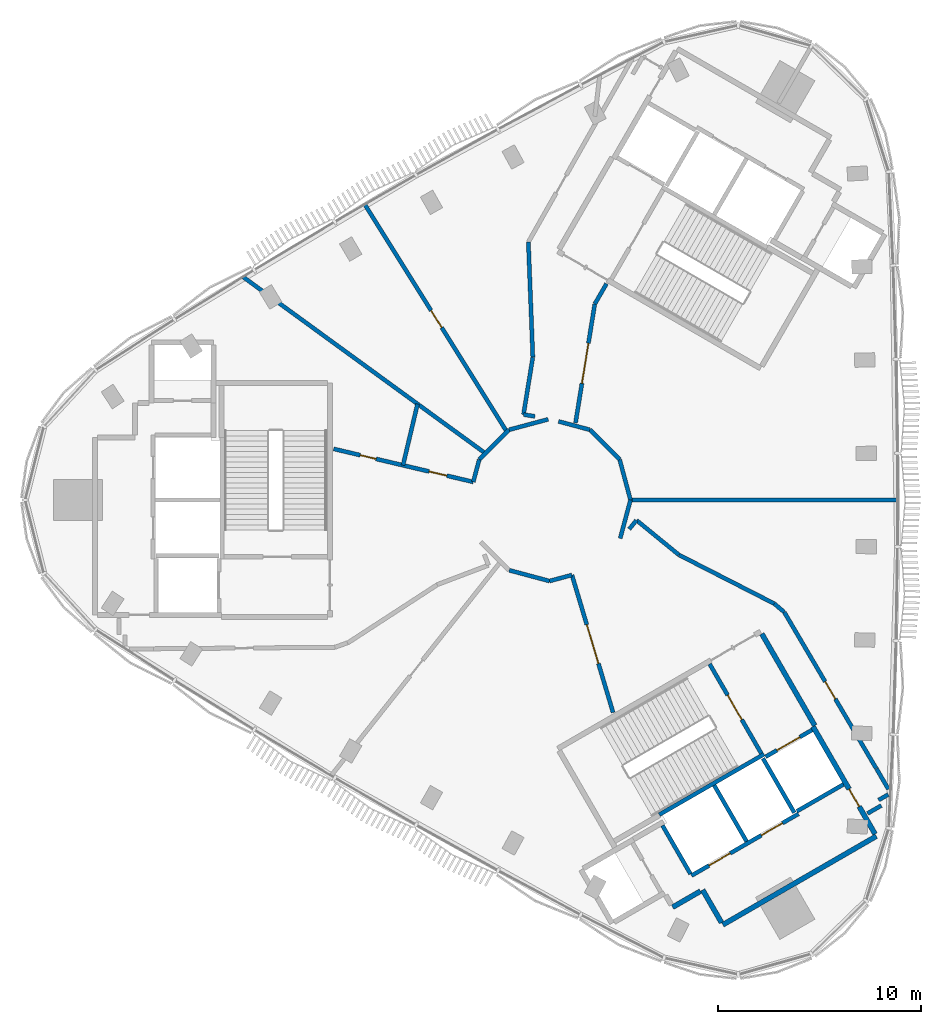
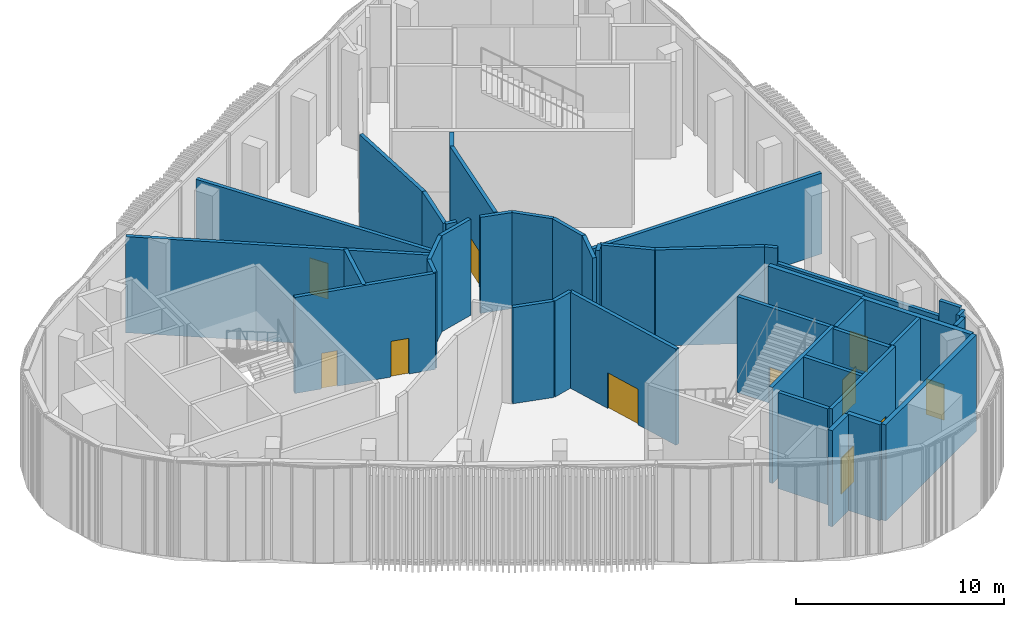
# One storey, part 4 of 11: 41 walls, 11 doors, 11 openings.
"""IFC4 building model written with IfcOpenShell, lengths in metres."""

from ifc_helpers import new_model, si_unit, direction, frame, frame_2d, origin, place, context, subcontext, project, spatial, rectangle, extrude, material, layer, layer_set, type_object, element, fill, save


model = new_model("IFC4")

# Units and contexts
model_context = context("Model", 3, precision=1e-05, world=origin(), true_north=direction((0.0, 1.0)))
body_context = subcontext(model_context, "Body", "Model", "MODEL_VIEW")
ifc_project = project(units=[si_unit("LENGTHUNIT", "METRE"), si_unit("AREAUNIT", "SQUARE_METRE"), si_unit("VOLUMEUNIT", "CUBIC_METRE"), si_unit("PLANEANGLEUNIT", "RADIAN"), si_unit("MASSUNIT", "GRAM", prefix="KILO")], contexts=[model_context])

# Site, building, storey
site_placement = place(None, origin())
site = spatial("IfcSite", under=ifc_project, at=site_placement, CompositionType="ELEMENT")
building_placement = place(site_placement, origin())
building = spatial("IfcBuilding", under=site, at=building_placement, Name="Tamra Quay Hotel Tower", CompositionType="ELEMENT")
storey_placement = place(building_placement, frame((0.0, 0.0, 306.60009765625)))
storey = spatial("IfcBuildingStorey", under=building, at=storey_placement, Name="L77", CompositionType="ELEMENT", Elevation=306.60009765625)

# Wall
ifc_material_1 = material(Name="Concrete M70", Category="concrete")
ifc_layer_1 = layer(ifc_material_1, 0.199951171875)
ifc_layer_set_1 = layer_set([ifc_layer_1], Name="Concrete M70 core wall 200")
wall_type_1 = type_object("IfcWallType", Name="Concrete M70 core wall 200", PredefinedType="SHEAR", material=ifc_layer_set_1)
wall_1_placement = place(storey_placement, frame((5.4189453125, -15.533935546875, 0.0), z_axis=(0.0, 0.0, 1.0), x_axis=(0.866029065029, 0.499993658486, 0.0)))
element("IfcWall", 1, at=wall_1_placement, inside=storey, type_object=wall_type_1, Name="CW2", PredefinedType="SHEAR", context=body_context, shape_type="SweptSolid", body=[
    extrude(rectangle(XDim=5.97412109375, YDim=0.199951171875, at=frame_2d((2.987060546875, 0.0))), origin(), (0.0, 0.0, 1.0), 5.64990234375),
])

# Wall, openings, doors
wall_2_placement = place(storey_placement, frame((7.009765625, -18.54150390625, 0.0), z_axis=(0.0, 0.0, 1.0), x_axis=(0.866030299012, 0.499991521122, 0.0)))
wall_2 = element("IfcWall", 2, at=wall_2_placement, inside=storey, type_object=wall_type_1, Name="CW2", PredefinedType="SHEAR", context=body_context, shape_type="SweptSolid", body=[
    extrude(rectangle(XDim=6.10009765625, YDim=0.199951171875, at=frame_2d((3.050048828125, 0.0))), origin(), (0.0, 0.0, 1.0), 5.64990234375),
])
opening_1_placement = place(wall_2_placement, frame((1.0, 0.0, 0.0)))
opening_1 = element("IfcOpeningElement", 3, at=opening_1_placement, cuts=wall_2, Name="Opening LD", PredefinedType="OPENING", context=body_context, shape_type="SweptSolid", body=[
    extrude(rectangle(XDim=1.199951171875, YDim=2.10009765625, at=frame_2d((0.60009765625, 1.050048828125))), frame((0.0, 0.10986328125, 0.0), z_axis=(0.0, -1.0, 0.0), x_axis=(1.0, 0.0, 0.0)), (0.0, 0.0, 1.0), 0.219970703125),
])
opening_2_placement = place(wall_2_placement, frame((3.982177734375, 0.0, 0.0)))
opening_2 = element("IfcOpeningElement", 4, at=opening_2_placement, cuts=wall_2, Name="Opening LD", PredefinedType="OPENING", context=body_context, shape_type="SweptSolid", body=[
    extrude(rectangle(XDim=1.199951171875, YDim=2.10009765625, at=frame_2d((0.60009765625, 1.050048828125))), frame((0.0, 0.10986328125, 0.0), z_axis=(0.0, -1.0, 0.0), x_axis=(1.0, 0.0, 0.0)), (0.0, 0.0, 1.0), 0.219970703125),
])
ifc_material_2 = material(Name="Landing door LD 1200 double door sliding")
door_type_1 = type_object("IfcDoorType", Name="Landing door LD 1200 double door sliding", OperationType="DOUBLE_DOOR_SLIDING", PredefinedType="DOOR", material=ifc_material_2)
door_1_placement = place(opening_1_placement, origin())
door_1 = element("IfcDoor", 5, at=door_1_placement, inside=storey, type_object=door_type_1, Name="LD", OperationType="DOUBLE_DOOR_SLIDING", OverallHeight=2.10009765625, OverallWidth=1.199951171875, PredefinedType="DOOR", context=body_context, shape_type="SweptSolid", body=[
    extrude(rectangle(XDim=1.199951171875, YDim=2.10009765625, at=frame_2d((0.60009765625, 1.050048828125))), frame((0.0, 0.02490234375, 0.0), z_axis=(0.0, -1.0, 0.0), x_axis=(1.0, 0.0, 0.0)), (0.0, 0.0, 1.0), 0.050048828125),
])
fill(opening_1, door_1)
door_2_placement = place(opening_2_placement, origin())
door_2 = element("IfcDoor", 6, at=door_2_placement, inside=storey, type_object=door_type_1, Name="LD", OperationType="DOUBLE_DOOR_SLIDING", OverallHeight=2.10009765625, OverallWidth=1.199951171875, PredefinedType="DOOR", context=body_context, shape_type="SweptSolid", body=[
    extrude(rectangle(XDim=1.199951171875, YDim=2.10009765625, at=frame_2d((0.60009765625, 1.050048828125))), frame((0.0, 0.02490234375, 0.0), z_axis=(0.0, -1.0, 0.0), x_axis=(1.0, 0.0, 0.0)), (0.0, 0.0, 1.0), 0.050048828125),
])
fill(opening_2, door_2)

# Wall, opening, door
wall_3_placement = place(storey_placement, frame((7.906494140625, -8.094482421875, 0.0), z_axis=(0.0, 0.0, 1.0), x_axis=(0.500027839223, -0.866009330205, 0.0)))
wall_3 = element("IfcWall", 7, at=wall_3_placement, inside=storey, type_object=wall_type_1, Name="CW2", PredefinedType="SHEAR", context=body_context, shape_type="SweptSolid", body=[
    extrude(rectangle(XDim=5.097900390625, YDim=0.199951171875, at=frame_2d((2.548828125, 0.0))), origin(), (0.0, 0.0, 1.0), 5.64990234375),
])
opening_3_placement = place(wall_3_placement, frame((1.77392578125, 0.0, 0.0)))
opening_3 = element("IfcOpeningElement", 8, at=opening_3_placement, cuts=wall_3, Name="Opening FD2", PredefinedType="OPENING", context=body_context, shape_type="SweptSolid", body=[
    extrude(rectangle(XDim=1.39990234375, YDim=2.10009765625, at=frame_2d((0.699951171875, 1.050048828125))), frame((0.0, 0.10986328125, 0.0), z_axis=(0.0, -1.0, 0.0), x_axis=(1.0, 0.0, 0.0)), (0.0, 0.0, 1.0), 0.219970703125),
])
ifc_material_3 = material(Name="Core door FD2 1400x2100 RH")
door_type_2 = type_object("IfcDoorType", Name="Core door FD2 1400x2100 RH", OperationType="NOTDEFINED", PredefinedType="DOOR", material=ifc_material_3)
door_3_placement = place(opening_3_placement, origin())
door_3 = element("IfcDoor", 9, at=door_3_placement, inside=storey, type_object=door_type_2, Name="FD2", OperationType="SINGLE_SWING_RIGHT", OverallHeight=2.10009765625, OverallWidth=1.39990234375, PredefinedType="DOOR", context=body_context, shape_type="SweptSolid", body=[
    extrude(rectangle(XDim=1.39990234375, YDim=2.10009765625, at=frame_2d((0.699951171875, 1.050048828125))), frame((0.0, 0.02490234375, 0.0), z_axis=(0.0, -1.0, 0.0), x_axis=(1.0, 0.0, 0.0)), (0.0, 0.0, 1.0), 0.050048828125),
])
fill(opening_3, door_3)

# Walls
wall_4_placement = place(storey_placement, frame((8.131591796875, -14.084228515625, 0.0), z_axis=(0.0, 0.0, 1.0), x_axis=(0.499997778408, -0.866026686418, 0.0)))
element("IfcWall", 10, at=wall_4_placement, inside=storey, type_object=wall_type_1, Name="CW2", PredefinedType="SHEAR", context=body_context, shape_type="SweptSolid", body=[
    extrude(rectangle(XDim=3.1982421875, YDim=0.199951171875, at=frame_2d((1.59912109375, 0.0))), origin(), (0.0, 0.0, 1.0), 5.64990234375),
])
wall_5_placement = place(storey_placement, frame((6.959716796875, -18.455078125, 0.0), z_axis=(0.0, 0.0, 1.0), x_axis=(-0.499926705758, 0.866067716099, 0.0)))
element("IfcWall", 11, at=wall_5_placement, inside=storey, type_object=wall_type_1, Name="CW2", PredefinedType="SHEAR", context=body_context, shape_type="SweptSolid", body=[
    extrude(rectangle(XDim=2.75927734375, YDim=0.199951171875, at=frame_2d((1.379638671875, 0.0))), origin(), (0.0, 0.0, 1.0), 5.64990234375),
])
wall_6_placement = place(storey_placement, frame((12.087646484375, -15.4365234375, 0.0), z_axis=(0.0, 0.0, 1.0), x_axis=(-0.500026960575, 0.86600983753, 0.0)))
element("IfcWall", 12, at=wall_6_placement, inside=storey, type_object=wall_type_1, Name="CW2", PredefinedType="SHEAR", context=body_context, shape_type="SweptSolid", body=[
    extrude(rectangle(XDim=3.099853515625, YDim=0.199951171875, at=frame_2d((1.5498046875, 0.0))), origin(), (0.0, 0.0, 1.0), 5.64990234375),
])

# Wall, opening, door
wall_7_placement = place(storey_placement, frame((10.666015625, -12.677734375, 0.0), z_axis=(0.0, 0.0, 1.0), x_axis=(0.866018407898, 0.500012117035, 0.0)))
wall_7 = element("IfcWall", 13, at=wall_7_placement, inside=storey, type_object=wall_type_1, Name="CW2", PredefinedType="SHEAR", context=body_context, shape_type="SweptSolid", body=[
    extrude(rectangle(XDim=2.65087890625, YDim=0.199951171875, at=frame_2d((1.325439453125, 0.0))), origin(), (0.0, 0.0, 1.0), 5.64990234375),
])
opening_4_placement = place(wall_7_placement, frame((0.65185546875, 0.0, 0.0)))
opening_4 = element("IfcOpeningElement", 14, at=opening_4_placement, cuts=wall_7, Name="Opening LD", PredefinedType="OPENING", context=body_context, shape_type="SweptSolid", body=[
    extrude(rectangle(XDim=1.300048828125, YDim=2.10009765625, at=frame_2d((0.64990234375, 1.050048828125))), frame((0.0, 0.10986328125, 0.0), z_axis=(0.0, -1.0, 0.0), x_axis=(1.0, 0.0, 0.0)), (0.0, 0.0, 1.0), 0.219970703125),
])
ifc_material_4 = material(Name="Landing door LD 1300 sliding to right")
door_type_3 = type_object("IfcDoorType", Name="Landing door LD 1300 sliding to right", OperationType="NOTDEFINED", PredefinedType="DOOR", material=ifc_material_4)
door_4_placement = place(opening_4_placement, origin())
door_4 = element("IfcDoor", 15, at=door_4_placement, inside=storey, type_object=door_type_3, Name="LD", OperationType="SLIDING_TO_RIGHT", OverallHeight=2.10009765625, OverallWidth=1.300048828125, PredefinedType="DOOR", context=body_context, shape_type="SweptSolid", body=[
    extrude(rectangle(XDim=1.300048828125, YDim=2.10009765625, at=frame_2d((0.64990234375, 1.050048828125))), frame((0.0, 0.02490234375, 0.0), z_axis=(0.0, -1.0, 0.0), x_axis=(1.0, 0.0, 0.0)), (0.0, 0.0, 1.0), 0.050048828125),
])
fill(opening_4, door_4)

# Walls
wall_8_placement = place(storey_placement, frame((14.51171875, -14.037109375, 0.0), z_axis=(0.0, 0.0, 1.0), x_axis=(-0.866018407898, -0.500012117035, 0.0)))
element("IfcWall", 16, at=wall_8_placement, inside=storey, type_object=wall_type_1, Name="CW2", PredefinedType="SHEAR", context=body_context, shape_type="SweptSolid", body=[
    extrude(rectangle(XDim=2.65087890625, YDim=0.199951171875, at=frame_2d((1.325439453125, 0.0))), origin(), (0.0, 0.0, 1.0), 5.64990234375),
])
ifc_layer_2 = layer(ifc_material_1, 0.25)
ifc_layer_set_2 = layer_set([ifc_layer_2], Name="Concrete M70 core wall 250")
wall_type_2 = type_object("IfcWallType", Name="Concrete M70 core wall 250", PredefinedType="SHEAR", material=ifc_layer_set_2)
wall_9_placement = place(storey_placement, frame((16.13330078125, -16.59375, 0.0), z_axis=(0.0, 0.0, 1.0), x_axis=(-0.866022959057, -0.500004234368, 0.0)))
element("IfcWall", 17, at=wall_9_placement, inside=storey, type_object=wall_type_2, Name="CW1", PredefinedType="SHEAR", context=body_context, shape_type="SweptSolid", body=[
    extrude(rectangle(XDim=8.75, YDim=0.25, at=frame_2d((4.375, 0.0))), origin(), (0.0, 0.0, 1.0), 5.64990234375),
])

# Wall, opening, door
wall_10_placement = place(storey_placement, frame((13.00830078125, -11.18115234375, 0.0), z_axis=(0.0, 0.0, 1.0), x_axis=(0.500001955336, -0.866024274868, 0.0)))
wall_10 = element("IfcWall", 18, at=wall_10_placement, inside=storey, type_object=wall_type_2, Name="CW1", PredefinedType="SHEAR", context=body_context, shape_type="SweptSolid", body=[
    extrude(rectangle(XDim=6.12451171875, YDim=0.25, at=frame_2d((3.062255859375, 0.0))), origin(), (0.0, 0.0, 1.0), 5.64990234375),
])
opening_5_placement = place(wall_10_placement, frame((3.562744140625, 0.0, 0.0)))
opening_5 = element("IfcOpeningElement", 19, at=opening_5_placement, cuts=wall_10, Name="Opening FD3", PredefinedType="OPENING", context=body_context, shape_type="SweptSolid", body=[
    extrude(rectangle(XDim=1.0, YDim=2.10009765625, at=frame_2d((0.5, 1.050048828125))), frame((0.0, 0.135009765625, 0.0), z_axis=(0.0, -1.0, 0.0), x_axis=(1.0, 0.0, 0.0)), (0.0, 0.0, 1.0), 0.27001953125),
])
ifc_material_5 = material(Name="Core door FD3 1000x2100 LH")
door_type_4 = type_object("IfcDoorType", Name="Core door FD3 1000x2100 LH", OperationType="NOTDEFINED", PredefinedType="DOOR", material=ifc_material_5)
door_5_placement = place(opening_5_placement, origin())
door_5 = element("IfcDoor", 20, at=door_5_placement, inside=storey, type_object=door_type_4, Name="FD3", OperationType="SINGLE_SWING_LEFT", OverallHeight=2.10009765625, OverallWidth=1.0, PredefinedType="DOOR", context=body_context, shape_type="SweptSolid", body=[
    extrude(rectangle(XDim=1.0, YDim=2.10009765625, at=frame_2d((0.5, 1.050048828125))), frame((0.0, 0.02490234375, 0.0), z_axis=(0.0, -1.0, 0.0), x_axis=(1.0, 0.0, 0.0)), (0.0, 0.0, 1.0), 0.050048828125),
])
fill(opening_5, door_5)

# Walls
wall_11_placement = place(storey_placement, frame((10.482666015625, -6.6064453125, 0.0), z_axis=(0.0, 0.0, 1.0), x_axis=(0.49999885962, -0.866026062182, 0.0)))
element("IfcWall", 21, at=wall_11_placement, inside=storey, type_object=wall_type_2, Name="CW1", PredefinedType="SHEAR", context=body_context, shape_type="SweptSolid", body=[
    extrude(rectangle(XDim=5.224609375, YDim=0.25, at=frame_2d((2.6123046875, 0.0))), origin(), (0.0, 0.0, 1.0), 5.64990234375),
])
wall_12_placement = place(storey_placement, frame((8.492919921875, -20.860107421875, 0.0), z_axis=(0.0, 0.0, 1.0), x_axis=(-0.500039802285, 0.866002422705, 0.0)))
element("IfcWall", 22, at=wall_12_placement, inside=storey, type_object=wall_type_2, Name="CW1", PredefinedType="SHEAR", context=body_context, shape_type="SweptSolid", body=[
    extrude(rectangle(XDim=1.864501953125, YDim=0.25, at=frame_2d((0.93212890625, 0.0))), origin(), (0.0, 0.0, 1.0), 5.64990234375),
])
wall_13_placement = place(storey_placement, frame((7.451904296875, -19.30810546875, 0.0), z_axis=(0.0, 0.0, 1.0), x_axis=(-0.866044474677, -0.49996696679, 0.0)))
element("IfcWall", 23, at=wall_13_placement, inside=storey, type_object=wall_type_2, Name="CW1", PredefinedType="SHEAR", context=body_context, shape_type="SweptSolid", body=[
    extrude(rectangle(XDim=1.58447265625, YDim=0.25, at=frame_2d((0.792236328125, 0.0))), origin(), (0.0, 0.0, 1.0), 5.64990234375),
])
ifc_material_6 = material(Name="Partition party wall")
ifc_layer_3 = layer(ifc_material_6, 0.199951171875)
ifc_layer_set_3 = layer_set([ifc_layer_3], Name="Partition party wall")
wall_type_3 = type_object("IfcWallType", Name="Partition party wall", PredefinedType="PARTITIONING", material=ifc_layer_set_3)
wall_14_placement = place(storey_placement, frame((-15.114013671875, 11.00439453125, 0.0), z_axis=(0.0, 0.0, 1.0), x_axis=(0.808410288659, -0.58861940606, 0.0)))
element("IfcWall", 24, at=wall_14_placement, inside=storey, type_object=wall_type_3, Name="W-P", PredefinedType="PARTITIONING", context=body_context, shape_type="SweptSolid", body=[
    extrude(rectangle(XDim=14.7822265625, YDim=0.199951171875, at=frame_2d((7.39111328125, 0.0))), origin(), (0.0, 0.0, 1.0), 5.64990234375),
])

# Wall, openings, doors
wall_15_placement = place(storey_placement, frame((-10.65234375, 2.523681640625, 0.0), z_axis=(0.0, 0.0, 1.0), x_axis=(0.97307682679, -0.230480995236, 0.0)))
wall_15 = element("IfcWall", 25, at=wall_15_placement, inside=storey, type_object=wall_type_3, Name="W-P", PredefinedType="PARTITIONING", context=body_context, shape_type="SweptSolid", body=[
    extrude(rectangle(XDim=7.078125, YDim=0.199951171875, at=frame_2d((3.5390625, 0.0))), origin(), (0.0, 0.0, 1.0), 5.64990234375),
])
opening_6_placement = place(wall_15_placement, frame((1.349365234375, 0.0, 0.0)))
opening_6 = element("IfcOpeningElement", 26, at=opening_6_placement, cuts=wall_15, Name="Opening L77-D004", PredefinedType="OPENING", context=body_context, shape_type="SweptSolid", body=[
    extrude(rectangle(XDim=0.800048828125, YDim=2.10009765625, at=frame_2d((0.39990234375, 1.050048828125))), frame((0.0, 0.10986328125, 0.0), z_axis=(0.0, -1.0, 0.0), x_axis=(1.0, 0.0, 0.0)), (0.0, 0.0, 1.0), 0.219970703125),
])
opening_7_placement = place(wall_15_placement, frame((4.841796875, 0.0, 0.0)))
opening_7 = element("IfcOpeningElement", 27, at=opening_7_placement, cuts=wall_15, Name="Opening L77-D009", PredefinedType="OPENING", context=body_context, shape_type="SweptSolid", body=[
    extrude(rectangle(XDim=0.89990234375, YDim=2.10009765625, at=frame_2d((0.449951171875, 1.050048828125))), frame((0.0, 0.10986328125, 0.0), z_axis=(0.0, -1.0, 0.0), x_axis=(1.0, 0.0, 0.0)), (0.0, 0.0, 1.0), 0.219970703125),
])
ifc_material_7 = material(Name="Door service room 800x2100")
door_type_5 = type_object("IfcDoorType", Name="Door service room 800x2100", OperationType="NOTDEFINED", PredefinedType="DOOR", material=ifc_material_7)
door_6_placement = place(opening_6_placement, frame((0.800048828125, 0.0, 0.0), z_axis=(0.0, 0.0, 1.0), x_axis=(-1.0, 0.0, 0.0)))
door_6 = element("IfcDoor", 28, at=door_6_placement, inside=storey, type_object=door_type_5, Name="L77-D004", OperationType="SINGLE_SWING_LEFT", OverallHeight=2.10009765625, OverallWidth=0.800048828125, PredefinedType="DOOR", context=body_context, shape_type="SweptSolid", body=[
    extrude(rectangle(XDim=0.800048828125, YDim=2.10009765625, at=frame_2d((0.39990234375, 1.050048828125))), frame((0.0, 0.02490234375, 0.0), z_axis=(0.0, -1.0, 0.0), x_axis=(1.0, 0.0, 0.0)), (0.0, 0.0, 1.0), 0.050048828125),
])
fill(opening_6, door_6)
ifc_material_8 = material(Name="Door service room 900x2100")
door_type_6 = type_object("IfcDoorType", Name="Door service room 900x2100", OperationType="NOTDEFINED", PredefinedType="DOOR", material=ifc_material_8)
door_7_placement = place(opening_7_placement, origin())
door_7 = element("IfcDoor", 29, at=door_7_placement, inside=storey, type_object=door_type_6, Name="L77-D009", OperationType="SINGLE_SWING_LEFT", OverallHeight=2.10009765625, OverallWidth=0.89990234375, PredefinedType="DOOR", context=body_context, shape_type="SweptSolid", body=[
    extrude(rectangle(XDim=0.89990234375, YDim=2.10009765625, at=frame_2d((0.449951171875, 1.050048828125))), frame((0.0, 0.02490234375, 0.0), z_axis=(0.0, -1.0, 0.0), x_axis=(1.0, 0.0, 0.0)), (0.0, 0.0, 1.0), 0.050048828125),
])
fill(opening_7, door_7)

# Wall, opening, door
wall_16_placement = place(storey_placement, frame((-9.109375, 14.577392578125, 0.0), z_axis=(0.0, 0.0, 1.0), x_axis=(0.529975703245, -0.848012826536, 0.0)))
wall_16 = element("IfcWall", 30, at=wall_16_placement, inside=storey, type_object=wall_type_3, Name="W-P", PredefinedType="PARTITIONING", context=body_context, shape_type="SweptSolid", body=[
    extrude(rectangle(XDim=13.221923828125, YDim=0.199951171875, at=frame_2d((6.61083984375, 0.0))), origin(), (0.0, 0.0, 1.0), 4.75),
])
opening_8_placement = place(wall_16_placement, frame((6.158447265625, 0.0, 0.0)))
opening_8 = element("IfcOpeningElement", 31, at=opening_8_placement, cuts=wall_16, Name="Opening L77-D003", PredefinedType="OPENING", context=body_context, shape_type="SweptSolid", body=[
    extrude(rectangle(XDim=1.0, YDim=2.10009765625, at=frame_2d((0.5, 1.050048828125))), frame((0.0, 0.10986328125, 0.0), z_axis=(0.0, -1.0, 0.0), x_axis=(1.0, 0.0, 0.0)), (0.0, 0.0, 1.0), 0.219970703125),
])
ifc_material_9 = material(Name="Door guest room 1000x2100")
door_type_7 = type_object("IfcDoorType", Name="Door guest room 1000x2100", OperationType="NOTDEFINED", PredefinedType="DOOR", material=ifc_material_9)
door_8_placement = place(opening_8_placement, frame((1.0, 0.0, 0.0), z_axis=(0.0, 0.0, 1.0), x_axis=(-1.0, 0.0, 0.0)))
door_8 = element("IfcDoor", 32, at=door_8_placement, inside=storey, type_object=door_type_7, Name="L77-D003", OperationType="SINGLE_SWING_LEFT", OverallHeight=2.10009765625, OverallWidth=1.0, PredefinedType="DOOR", context=body_context, shape_type="SweptSolid", body=[
    extrude(rectangle(XDim=1.0, YDim=2.10009765625, at=frame_2d((0.5, 1.050048828125))), frame((0.0, 0.02490234375, 0.0), z_axis=(0.0, -1.0, 0.0), x_axis=(1.0, 0.0, 0.0)), (0.0, 0.0, 1.0), 0.050048828125),
])
fill(opening_8, door_8)

# Walls
wall_17_placement = place(storey_placement, frame((-7.22900390625, 1.712890625, 0.0), z_axis=(0.0, 0.0, 1.0), x_axis=(0.230566147052, 0.973056653969, 0.0)))
element("IfcWall", 33, at=wall_17_placement, inside=storey, type_object=wall_type_3, Name="W-P", PredefinedType="PARTITIONING", context=body_context, shape_type="SweptSolid", body=[
    extrude(rectangle(XDim=3.10986328125, YDim=0.199951171875, at=frame_2d((1.554931640625, 0.0))), origin(), (0.0, 0.0, 1.0), 5.64990234375),
])
wall_18_placement = place(storey_placement, frame((-3.760986328125, 0.89501953125, 0.0), z_axis=(0.0, 0.0, 1.0), x_axis=(0.25927065015, 0.965804705917, 0.0)))
element("IfcWall", 34, at=wall_18_placement, inside=storey, type_object=wall_type_3, Name="W-P", PredefinedType="PARTITIONING", context=body_context, shape_type="SweptSolid", body=[
    extrude(rectangle(XDim=1.1337890625, YDim=0.199951171875, at=frame_2d((0.56689453125, 0.0))), origin(), (0.0, 0.0, 1.0), 5.64990234375),
])
wall_19_placement = place(storey_placement, frame((-3.464111328125, 2.0, 0.0), z_axis=(0.0, 0.0, 1.0), x_axis=(0.707106781187, 0.707106781187, 0.0)))
element("IfcWall", 35, at=wall_19_placement, inside=storey, type_object=wall_type_3, Name="W-P", PredefinedType="PARTITIONING", context=body_context, shape_type="SweptSolid", body=[
    extrude(rectangle(XDim=2.070556640625, YDim=0.199951171875, at=frame_2d((1.03515625, 0.0))), origin(), (0.0, 0.0, 1.0), 5.64990234375),
])
wall_20_placement = place(storey_placement, frame((-1.989990234375, 3.467041015625, 0.0), z_axis=(0.0, 0.0, 1.0), x_axis=(0.965951876599, 0.258721804443, 0.0)))
element("IfcWall", 36, at=wall_20_placement, inside=storey, type_object=wall_type_3, Name="W-P", PredefinedType="PARTITIONING", context=body_context, shape_type="SweptSolid", body=[
    extrude(rectangle(XDim=1.993896484375, YDim=0.199951171875, at=frame_2d((0.9970703125, 0.0))), origin(), (0.0, 0.0, 1.0), 5.64990234375),
])
wall_21_placement = place(storey_placement, frame((-1.988037109375, -3.467041015625, 0.0), z_axis=(0.0, 0.0, 1.0), x_axis=(0.965861669228, -0.259058363918, 0.0)))
element("IfcWall", 37, at=wall_21_placement, inside=storey, type_object=wall_type_3, Name="W-P", PredefinedType="PARTITIONING", context=body_context, shape_type="SweptSolid", body=[
    extrude(rectangle(XDim=2.057373046875, YDim=0.199951171875, at=frame_2d((1.02880859375, 0.0))), origin(), (0.0, 0.0, 1.0), 5.64990234375),
])
wall_22_placement = place(storey_placement, frame((-1.280029296875, 4.219970703125, 0.0), z_axis=(0.0, 0.0, 1.0), x_axis=(0.160142941746, 0.987093834551, 0.0)))
element("IfcWall", 38, at=wall_22_placement, inside=storey, type_object=wall_type_3, Name="W-P", PredefinedType="PARTITIONING", context=body_context, shape_type="SweptSolid", body=[
    extrude(rectangle(XDim=2.8662109375, YDim=0.199951171875, at=frame_2d((1.43310546875, 0.0))), origin(), (0.0, 0.0, 1.0), 5.64990234375),
])
wall_23_placement = place(storey_placement, frame((-1.27587890625, 4.217041015625, 0.0), z_axis=(0.0, 0.0, 1.0), x_axis=(0.987210430216, -0.159422603392, 0.0)))
element("IfcWall", 39, at=wall_23_placement, inside=storey, type_object=wall_type_3, Name="W-P", PredefinedType="PARTITIONING", context=body_context, shape_type="SweptSolid", body=[
    extrude(rectangle(XDim=0.565185546875, YDim=0.199951171875, at=frame_2d((0.28271484375, 0.0))), origin(), (0.0, 0.0, 1.0), 5.64990234375),
])
wall_24_placement = place(storey_placement, frame((-1.041015625, 12.73193359375, 0.0), z_axis=(0.0, 0.0, 1.0), x_axis=(0.038692050162, -0.999251182263, 0.0)))
element("IfcWall", 40, at=wall_24_placement, inside=storey, type_object=wall_type_3, Name="W-P", PredefinedType="PARTITIONING", context=body_context, shape_type="SweptSolid", body=[
    extrude(rectangle(XDim=5.68505859375, YDim=0.199951171875, at=frame_2d((2.842529296875, 0.0))), origin(), (0.0, 0.0, 1.0), 5.64990234375),
])
wall_25_placement = place(storey_placement, frame((0.0009765625, -4.0, 0.0), z_axis=(0.0, 0.0, 1.0), x_axis=(0.965965194568, 0.258672075965, 0.0)))
element("IfcWall", 41, at=wall_25_placement, inside=storey, type_object=wall_type_3, Name="W-P", PredefinedType="PARTITIONING", context=body_context, shape_type="SweptSolid", body=[
    extrude(rectangle(XDim=1.143798828125, YDim=0.199951171875, at=frame_2d((0.57177734375, 0.0))), origin(), (0.0, 0.0, 1.0), 5.64990234375),
])
wall_26_placement = place(storey_placement, frame((0.448974609375, 3.8798828125, 0.0), z_axis=(0.0, 0.0, 1.0), x_axis=(0.96579530644, -0.259305661448, 0.0)))
element("IfcWall", 42, at=wall_26_placement, inside=storey, type_object=wall_type_3, Name="W-P", PredefinedType="PARTITIONING", context=body_context, shape_type="SweptSolid", body=[
    extrude(rectangle(XDim=1.599609375, YDim=0.199951171875, at=frame_2d((0.7998046875, 0.0))), origin(), (0.0, 0.0, 1.0), 5.64990234375),
])

# Wall, opening, door
wall_27_placement = place(storey_placement, frame((1.111083984375, -3.7080078125, 0.0), z_axis=(0.0, 0.0, 1.0), x_axis=(0.286702116172, -0.958019778805, 0.0)))
wall_27 = element("IfcWall", 43, at=wall_27_placement, inside=storey, type_object=wall_type_3, Name="W-P", PredefinedType="PARTITIONING", context=body_context, shape_type="SweptSolid", body=[
    extrude(rectangle(XDim=7.076416015625, YDim=0.199951171875, at=frame_2d((3.5380859375, 0.0))), origin(), (0.0, 0.0, 1.0), 5.64990234375),
])
opening_9_placement = place(wall_27_placement, frame((2.55419921875, 0.0, 0.0)))
opening_9 = element("IfcOpeningElement", 44, at=opening_9_placement, cuts=wall_27, Name="Opening L77-D006", PredefinedType="OPENING", context=body_context, shape_type="SweptSolid", body=[
    extrude(rectangle(XDim=2.0, YDim=2.10009765625, at=frame_2d((1.0, 1.050048828125))), frame((0.0, 0.10986328125, 0.0), z_axis=(0.0, -1.0, 0.0), x_axis=(1.0, 0.0, 0.0)), (0.0, 0.0, 1.0), 0.219970703125),
])
ifc_material_10 = material(Name="Door double leaf 2000x2100")
door_type_8 = type_object("IfcDoorType", Name="Door double leaf 2000x2100", OperationType="DOUBLE_DOOR_SINGLE_SWING", PredefinedType="DOOR", material=ifc_material_10)
door_9_placement = place(opening_9_placement, frame((2.0, 0.0, 0.0), z_axis=(0.0, 0.0, 1.0), x_axis=(-1.0, 0.0, 0.0)))
door_9 = element("IfcDoor", 45, at=door_9_placement, inside=storey, type_object=door_type_8, Name="L77-D006", OperationType="DOUBLE_DOOR_SINGLE_SWING", OverallHeight=2.10009765625, OverallWidth=2.0, PredefinedType="DOOR", context=body_context, shape_type="SweptSolid", body=[
    extrude(rectangle(XDim=2.0, YDim=2.10009765625, at=frame_2d((1.0, 1.050048828125))), frame((0.0, 0.02490234375, 0.0), z_axis=(0.0, -1.0, 0.0), x_axis=(1.0, 0.0, 0.0)), (0.0, 0.0, 1.0), 0.050048828125),
])
fill(opening_9, door_9)

wall_28_placement = place(storey_placement, frame((1.287109375, 3.805908203125, 0.0), z_axis=(0.0, 0.0, 1.0), x_axis=(0.159910062187, 0.987131587992, 0.0)))
wall_28 = element("IfcWall", 46, at=wall_28_placement, inside=storey, type_object=wall_type_3, Name="W-P", PredefinedType="PARTITIONING", context=body_context, shape_type="SweptSolid", body=[
    extrude(rectangle(XDim=5.946533203125, YDim=0.199951171875, at=frame_2d((2.97314453125, 0.0))), origin(), (0.0, 0.0, 1.0), 5.64990234375),
])
opening_10_placement = place(wall_28_placement, frame((1.973388671875, 0.0, 0.0)))
opening_10 = element("IfcOpeningElement", 47, at=opening_10_placement, cuts=wall_28, Name="Opening L77-D001", PredefinedType="OPENING", context=body_context, shape_type="SweptSolid", body=[
    extrude(rectangle(XDim=2.0, YDim=2.10009765625, at=frame_2d((1.0, 1.050048828125))), frame((0.0, 0.10986328125, 0.0), z_axis=(0.0, -1.0, 0.0), x_axis=(1.0, 0.0, 0.0)), (0.0, 0.0, 1.0), 0.219970703125),
])
door_10_placement = place(opening_10_placement, frame((2.0, 0.0, 0.0), z_axis=(0.0, 0.0, 1.0), x_axis=(-1.0, 0.0, 0.0)))
door_10 = element("IfcDoor", 48, at=door_10_placement, inside=storey, type_object=door_type_8, Name="L77-D001", OperationType="DOUBLE_DOOR_SINGLE_SWING", OverallHeight=2.10009765625, OverallWidth=2.0, PredefinedType="DOOR", context=body_context, shape_type="SweptSolid", body=[
    extrude(rectangle(XDim=2.0, YDim=2.10009765625, at=frame_2d((1.0, 1.050048828125))), frame((0.0, 0.02490234375, 0.0), z_axis=(0.0, -1.0, 0.0), x_axis=(1.0, 0.0, 0.0)), (0.0, 0.0, 1.0), 0.050048828125),
])
fill(opening_10, door_10)

# Walls
wall_29_placement = place(storey_placement, frame((2.00390625, 3.462890625, 0.0), z_axis=(0.0, 0.0, 1.0), x_axis=(0.707106781187, -0.707106781187, 0.0)))
element("IfcWall", 49, at=wall_29_placement, inside=storey, type_object=wall_type_3, Name="W-P", PredefinedType="PARTITIONING", context=body_context, shape_type="SweptSolid", body=[
    extrude(rectangle(XDim=2.063232421875, YDim=0.199951171875, at=frame_2d((1.03173828125, 0.0))), origin(), (0.0, 0.0, 1.0), 5.64990234375),
])
wall_30_placement = place(storey_placement, frame((2.240966796875, 9.680908203125, 0.0), z_axis=(0.0, 0.0, 1.0), x_axis=(0.500507931288, 0.865731950847, 0.0)))
element("IfcWall", 50, at=wall_30_placement, inside=storey, type_object=wall_type_3, Name="W-P", PredefinedType="PARTITIONING", context=body_context, shape_type="SweptSolid", body=[
    extrude(rectangle(XDim=1.147705078125, YDim=0.199951171875, at=frame_2d((0.57373046875, 0.0))), origin(), (0.0, 0.0, 1.0), 5.64990234375),
])
wall_31_placement = place(storey_placement, frame((3.465087890625, 1.993896484375, 0.0), z_axis=(0.0, 0.0, 1.0), x_axis=(0.259230860242, -0.965815386654, 0.0)))
element("IfcWall", 51, at=wall_31_placement, inside=storey, type_object=wall_type_3, Name="W-P", PredefinedType="PARTITIONING", context=body_context, shape_type="SweptSolid", body=[
    extrude(rectangle(XDim=2.0634765625, YDim=0.199951171875, at=frame_2d((1.03173828125, 0.0))), origin(), (0.0, 0.0, 1.0), 5.64990234375),
])
wall_32_placement = place(storey_placement, frame((3.490966796875, -1.89404296875, 0.0), z_axis=(0.0, 0.0, 1.0), x_axis=(0.259669750265, 0.965697478923, 0.0)))
element("IfcWall", 52, at=wall_32_placement, inside=storey, type_object=wall_type_3, Name="W-P", PredefinedType="PARTITIONING", context=body_context, shape_type="SweptSolid", body=[
    extrude(rectangle(XDim=1.960205078125, YDim=0.199951171875, at=frame_2d((0.97998046875, 0.0))), origin(), (0.0, 0.0, 1.0), 5.64990234375),
])
wall_33_placement = place(storey_placement, frame((3.93798828125, -1.43701171875, 0.0), z_axis=(0.0, 0.0, 1.0), x_axis=(0.629901677938, 0.776674884447, 0.0)))
element("IfcWall", 53, at=wall_33_placement, inside=storey, type_object=wall_type_3, Name="W-P", PredefinedType="PARTITIONING", context=body_context, shape_type="SweptSolid", body=[
    extrude(rectangle(XDim=0.558837890625, YDim=0.199951171875, at=frame_2d((0.279296875, 0.0))), origin(), (0.0, 0.0, 1.0), 5.64990234375),
])
wall_34_placement = place(storey_placement, frame((4.001953125, 0.0, 0.0), z_axis=(0.0, 0.0, 1.0), x_axis=(1.0, 0.0, 0.0)))
element("IfcWall", 54, at=wall_34_placement, inside=storey, type_object=wall_type_3, Name="W-P", PredefinedType="PARTITIONING", context=body_context, shape_type="SweptSolid", body=[
    extrude(rectangle(XDim=13.17724609375, YDim=0.199951171875, at=frame_2d((6.588623046875, 0.0))), origin(), (0.0, 0.0, 1.0), 4.75),
])
wall_35_placement = place(storey_placement, frame((4.303955078125, -1.006103515625, 0.0), z_axis=(0.0, 0.0, 1.0), x_axis=(0.774680244544, -0.632353159803, 0.0)))
element("IfcWall", 55, at=wall_35_placement, inside=storey, type_object=wall_type_3, Name="W-P", PredefinedType="PARTITIONING", context=body_context, shape_type="SweptSolid", body=[
    extrude(rectangle(XDim=2.69140625, YDim=0.199951171875, at=frame_2d((1.345703125, 0.0))), origin(), (0.0, 0.0, 1.0), 5.64990234375),
])
wall_36_placement = place(storey_placement, frame((6.39501953125, -2.7119140625, 0.0), z_axis=(0.0, 0.0, 1.0), x_axis=(0.890365503059, -0.455246384898, 0.0)))
element("IfcWall", 56, at=wall_36_placement, inside=storey, type_object=wall_type_3, Name="W-P", PredefinedType="PARTITIONING", context=body_context, shape_type="SweptSolid", body=[
    extrude(rectangle(XDim=5.2763671875, YDim=0.199951171875, at=frame_2d((2.63818359375, 0.0))), origin(), (0.0, 0.0, 1.0), 5.64990234375),
])
wall_37_placement = place(storey_placement, frame((11.096923828125, -5.115966796875, 0.0), z_axis=(0.0, 0.0, 1.0), x_axis=(0.761892201705, -0.647703846662, 0.0)))
element("IfcWall", 57, at=wall_37_placement, inside=storey, type_object=wall_type_3, Name="W-P", PredefinedType="PARTITIONING", context=body_context, shape_type="SweptSolid", body=[
    extrude(rectangle(XDim=0.63916015625, YDim=0.199951171875, at=frame_2d((0.319580078125, 0.0))), origin(), (0.0, 0.0, 1.0), 5.64990234375),
])

# Wall, opening, door
wall_38_placement = place(storey_placement, frame((11.592041015625, -5.5390625, 0.0), z_axis=(0.0, 0.0, 1.0), x_axis=(0.507119130029, -0.861875970171, 0.0)))
wall_38 = element("IfcWall", 58, at=wall_38_placement, inside=storey, type_object=wall_type_3, Name="W-P", PredefinedType="PARTITIONING", context=body_context, shape_type="SweptSolid", body=[
    extrude(rectangle(XDim=8.9443359375, YDim=0.199951171875, at=frame_2d((4.47216796875, 0.0))), origin(), (0.0, 0.0, 1.0), 4.75),
])
opening_11_placement = place(wall_38_placement, frame((3.97216796875, 0.0, 0.0)))
opening_11 = element("IfcOpeningElement", 59, at=opening_11_placement, cuts=wall_38, Name="Opening L77-D007", PredefinedType="OPENING", context=body_context, shape_type="SweptSolid", body=[
    extrude(rectangle(XDim=1.0, YDim=2.10009765625, at=frame_2d((0.5, 1.050048828125))), frame((0.0, 0.10986328125, 0.0), z_axis=(0.0, -1.0, 0.0), x_axis=(1.0, 0.0, 0.0)), (0.0, 0.0, 1.0), 0.219970703125),
])
door_11_placement = place(opening_11_placement, origin())
door_11 = element("IfcDoor", 60, at=door_11_placement, inside=storey, type_object=door_type_7, Name="L77-D007", OperationType="SINGLE_SWING_LEFT", OverallHeight=2.10009765625, OverallWidth=1.0, PredefinedType="DOOR", context=body_context, shape_type="SweptSolid", body=[
    extrude(rectangle(XDim=1.0, YDim=2.10009765625, at=frame_2d((0.5, 1.050048828125))), frame((0.0, 0.02490234375, 0.0), z_axis=(0.0, -1.0, 0.0), x_axis=(1.0, 0.0, 0.0)), (0.0, 0.0, 1.0), 0.050048828125),
])
fill(opening_11, door_11)

# Walls
wall_39_placement = place(storey_placement, frame((15.700439453125, -15.473876953125, 0.0), z_axis=(0.0, 0.0, 1.0), x_axis=(0.865724300447, 0.500521164003, 0.0)))
element("IfcWall", 61, at=wall_39_placement, inside=storey, type_object=wall_type_3, Name="W-P", PredefinedType="PARTITIONING", context=body_context, shape_type="SweptSolid", body=[
    extrude(rectangle(XDim=0.784912109375, YDim=0.199951171875, at=frame_2d((0.392578125, 0.0))), origin(), (0.0, 0.0, 1.0), 5.64990234375),
])
wall_40_placement = place(storey_placement, frame((16.14208984375, -13.260009765625, 0.0), z_axis=(0.0, 0.0, 1.0), x_axis=(0.500978766574, -0.865459574701, 0.0)))
element("IfcWall", 62, at=wall_40_placement, inside=storey, type_object=wall_type_3, Name="W-P", PredefinedType="PARTITIONING", context=body_context, shape_type="SweptSolid", body=[
    extrude(rectangle(XDim=1.171630859375, YDim=0.199951171875, at=frame_2d((0.5859375, 0.0))), origin(), (0.0, 0.0, 1.0), 5.64990234375),
])
wall_41_placement = place(storey_placement, frame((16.2451171875, -14.81103515625, 0.0), z_axis=(0.0, 0.0, 1.0), x_axis=(0.867125849654, 0.498089109358, 0.0)))
element("IfcWall", 63, at=wall_41_placement, inside=storey, type_object=wall_type_3, Name="W-P", PredefinedType="PARTITIONING", context=body_context, shape_type="SweptSolid", body=[
    extrude(rectangle(XDim=0.552490234375, YDim=0.199951171875, at=frame_2d((0.2763671875, 0.0))), origin(), (0.0, 0.0, 1.0), 5.64990234375),
])

save(model, "model.ifc")
